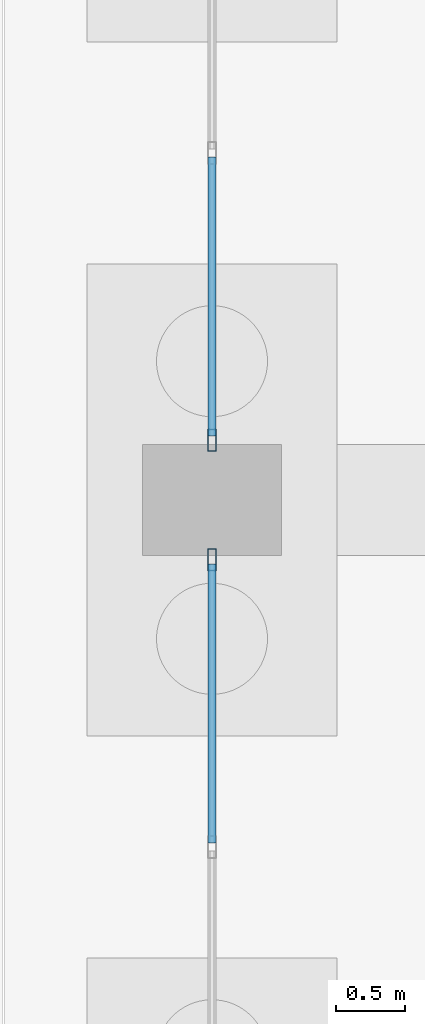
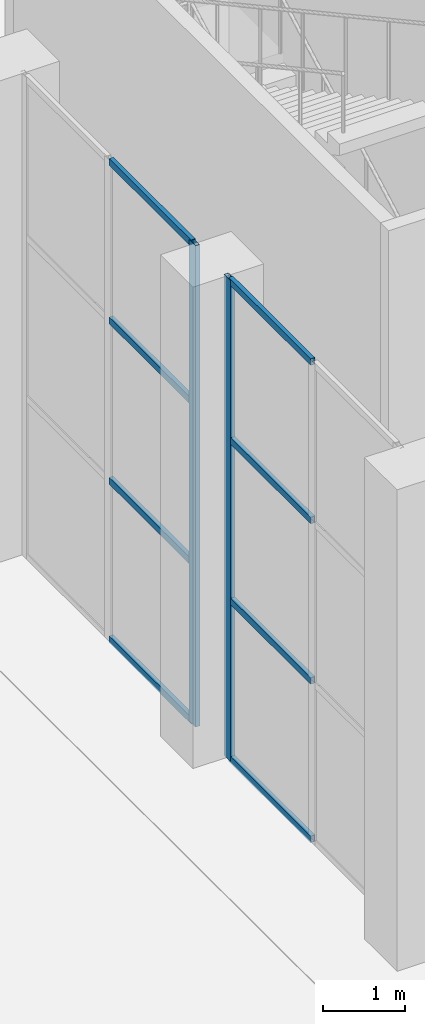
# One storey, part 103 of 239: 10 members, 2 elements without a shape of their own.
"""IFC4 building model written with IfcOpenShell, lengths in metres."""

from ifc_helpers import new_model, si_unit, direction, frame, origin, origin_2d, place, context, subcontext, project, spatial, hollow_rectangle, extrude, material, material_profile, profile_set, type_object, element, aggregate, save


model = new_model("IFC4")

# Units and contexts
model_context = context("Model", 3, precision=1e-05, world=origin(), true_north=direction((0.0, 1.0)))
body_context = subcontext(model_context, "Body", "Model", "MODEL_VIEW")
ifc_project = project(units=[si_unit("LENGTHUNIT", "METRE"), si_unit("AREAUNIT", "SQUARE_METRE"), si_unit("VOLUMEUNIT", "CUBIC_METRE"), si_unit("PLANEANGLEUNIT", "RADIAN"), si_unit("MASSUNIT", "GRAM", prefix="KILO")], contexts=[model_context])

# Site, building, storey
site_placement = place(None, origin())
site = spatial("IfcSite", under=ifc_project, at=site_placement, CompositionType="ELEMENT")
building_placement = place(site_placement, origin())
building = spatial("IfcBuilding", under=site, at=building_placement, Name="Okhra Congress Centre", CompositionType="ELEMENT")
storey_placement = place(building_placement, origin())
storey = spatial("IfcBuildingStorey", under=building, at=storey_placement, Name="L00", CompositionType="ELEMENT", Elevation=0.0)

# Curtain wall, member
ifc_material_1 = material(Name="Aluminium curtain wall, triple glazing", Category="aluminium")
curtain_wall_type = type_object("IfcCurtainWallType", Name="Curtain wall 2100 module", PredefinedType="NOTDEFINED", material=ifc_material_1)
curtain_wall_1_placement = place(storey_placement, origin())
curtain_wall_1 = element("IfcCurtainWall", 1, at=curtain_wall_1_placement, inside=storey, type_object=curtain_wall_type, Name="West bay 4 glazing", PredefinedType="NOTDEFINED")
ifc_material_2 = material(Name="Aluminium alloy EN AW-6063 T66", Category="aluminium")
ifc_material_profile_1 = material_profile(ifc_material_2, hollow_rectangle(XDim=0.06005859375, YDim=0.159912109375, WallThickness=0.00390625, at=origin_2d()), Name="RHS 60x160x4")
ifc_profile_set_1 = profile_set([ifc_material_profile_1], Name="Aluminium alloy EN AW-6063 T66")
member_type_1 = type_object("IfcMemberType", Name="Curtain wall mullion 60x160", PredefinedType="MULLION", material=ifc_profile_set_1)
member_1_placement = place(storey_placement, frame((155.5, 95.570068359375, 0.0), z_axis=(0.0, 0.0, 1.0), x_axis=(-1.0, 0.0, 0.0)))
member_1 = element("IfcMember", 2, at=member_1_placement, type_object=member_type_1, Name="CW4 mullion 3", PredefinedType="MULLION", context=body_context, shape_type="SweptSolid", body=[
    extrude(hollow_rectangle(XDim=0.06005859375, YDim=0.159912109375, WallThickness=0.00390625, at=origin_2d()), origin(), (0.0, 0.0, 1.0), 7.199951171875),
])

curtain_wall_2_placement = place(storey_placement, origin())
curtain_wall_2 = element("IfcCurtainWall", 3, at=curtain_wall_2_placement, inside=storey, type_object=curtain_wall_type, Name="West bay 5 glazing", PredefinedType="NOTDEFINED")
member_2_placement = place(storey_placement, frame((155.5, 96.429931640625, 0.0), z_axis=(0.0, 0.0, 1.0), x_axis=(-1.0, 0.0, 0.0)))
member_2 = element("IfcMember", 4, at=member_2_placement, type_object=member_type_1, Name="CW4 mullion 1", PredefinedType="MULLION", context=body_context, shape_type="SweptSolid", body=[
    extrude(hollow_rectangle(XDim=0.06005859375, YDim=0.159912109375, WallThickness=0.00390625, at=origin_2d()), origin(), (0.0, 0.0, 1.0), 7.199951171875),
])

# Member
ifc_material_profile_2 = material_profile(ifc_material_2, hollow_rectangle(XDim=0.06005859375, YDim=0.10009765625, WallThickness=0.00390625, at=origin_2d()), Name="RHS 60x100x4")
ifc_profile_set_2 = profile_set([ifc_material_profile_2], Name="Aluminium alloy EN AW-6063 T66")
member_type_2 = type_object("IfcMemberType", Name="Curtain wall transom 60x100", PredefinedType="USERDEFINED", material=ifc_profile_set_2)
member_3_placement = place(storey_placement, frame((155.5, 93.530029296875, 0.030029296875), z_axis=(0.0, 1.0, 0.0), x_axis=(-1.0, 0.0, 0.0)))
member_3 = element("IfcMember", 5, at=member_3_placement, type_object=member_type_2, Name="CW4 transom 2.1", ObjectType="TRANSOM", PredefinedType="USERDEFINED", context=body_context, shape_type="SweptSolid", body=[
    extrude(hollow_rectangle(XDim=0.06005859375, YDim=0.10009765625, WallThickness=0.00390625, at=origin_2d()), origin(), (0.0, 0.0, 1.0), 2.010009765625),
])

member_4_placement = place(storey_placement, frame((155.5, 93.530029296875, 2.39990234375), z_axis=(0.0, 1.0, 0.0), x_axis=(-1.0, 0.0, 0.0)))
member_4 = element("IfcMember", 6, at=member_4_placement, type_object=member_type_2, Name="CW4 transom 2.2", ObjectType="TRANSOM", PredefinedType="USERDEFINED", context=body_context, shape_type="SweptSolid", body=[
    extrude(hollow_rectangle(XDim=0.06005859375, YDim=0.10009765625, WallThickness=0.00390625, at=origin_2d()), origin(), (0.0, 0.0, 1.0), 2.010009765625),
])

member_5_placement = place(storey_placement, frame((155.5, 93.530029296875, 4.800048828125), z_axis=(0.0, 1.0, 0.0), x_axis=(-1.0, 0.0, 0.0)))
member_5 = element("IfcMember", 7, at=member_5_placement, type_object=member_type_2, Name="CW4 transom 2.3", ObjectType="TRANSOM", PredefinedType="USERDEFINED", context=body_context, shape_type="SweptSolid", body=[
    extrude(hollow_rectangle(XDim=0.06005859375, YDim=0.10009765625, WallThickness=0.00390625, at=origin_2d()), origin(), (0.0, 0.0, 1.0), 2.010009765625),
])

member_6_placement = place(storey_placement, frame((155.5, 93.530029296875, 7.169921875), z_axis=(0.0, 1.0, 0.0), x_axis=(-1.0, 0.0, 0.0)))
member_6 = element("IfcMember", 8, at=member_6_placement, type_object=member_type_2, Name="CW4 transom 2.4", ObjectType="TRANSOM", PredefinedType="USERDEFINED", context=body_context, shape_type="SweptSolid", body=[
    extrude(hollow_rectangle(XDim=0.06005859375, YDim=0.10009765625, WallThickness=0.00390625, at=origin_2d()), origin(), (0.0, 0.0, 1.0), 2.010009765625),
])

aggregate(curtain_wall_1, [member_1, member_3, member_4, member_5, member_6])

member_7_placement = place(storey_placement, frame((155.5, 96.4599609375, 0.030029296875), z_axis=(0.0, 1.0, 0.0), x_axis=(-1.0, 0.0, 0.0)))
member_7 = element("IfcMember", 9, at=member_7_placement, type_object=member_type_2, Name="CW4 transom 1.1", ObjectType="TRANSOM", PredefinedType="USERDEFINED", context=body_context, shape_type="SweptSolid", body=[
    extrude(hollow_rectangle(XDim=0.06005859375, YDim=0.10009765625, WallThickness=0.00390625, at=origin_2d()), origin(), (0.0, 0.0, 1.0), 2.010009765625),
])

member_8_placement = place(storey_placement, frame((155.5, 96.4599609375, 2.39990234375), z_axis=(0.0, 1.0, 0.0), x_axis=(-1.0, 0.0, 0.0)))
member_8 = element("IfcMember", 10, at=member_8_placement, type_object=member_type_2, Name="CW4 transom 1.2", ObjectType="TRANSOM", PredefinedType="USERDEFINED", context=body_context, shape_type="SweptSolid", body=[
    extrude(hollow_rectangle(XDim=0.06005859375, YDim=0.10009765625, WallThickness=0.00390625, at=origin_2d()), origin(), (0.0, 0.0, 1.0), 2.010009765625),
])

member_9_placement = place(storey_placement, frame((155.5, 96.4599609375, 4.800048828125), z_axis=(0.0, 1.0, 0.0), x_axis=(-1.0, 0.0, 0.0)))
member_9 = element("IfcMember", 11, at=member_9_placement, type_object=member_type_2, Name="CW4 transom 1.3", ObjectType="TRANSOM", PredefinedType="USERDEFINED", context=body_context, shape_type="SweptSolid", body=[
    extrude(hollow_rectangle(XDim=0.06005859375, YDim=0.10009765625, WallThickness=0.00390625, at=origin_2d()), origin(), (0.0, 0.0, 1.0), 2.010009765625),
])

member_10_placement = place(storey_placement, frame((155.5, 96.4599609375, 7.169921875), z_axis=(0.0, 1.0, 0.0), x_axis=(-1.0, 0.0, 0.0)))
member_10 = element("IfcMember", 12, at=member_10_placement, type_object=member_type_2, Name="CW4 transom 1.4", ObjectType="TRANSOM", PredefinedType="USERDEFINED", context=body_context, shape_type="SweptSolid", body=[
    extrude(hollow_rectangle(XDim=0.06005859375, YDim=0.10009765625, WallThickness=0.00390625, at=origin_2d()), origin(), (0.0, 0.0, 1.0), 2.010009765625),
])

aggregate(curtain_wall_2, [member_2, member_7, member_8, member_9, member_10])

save(model, "model.ifc")
